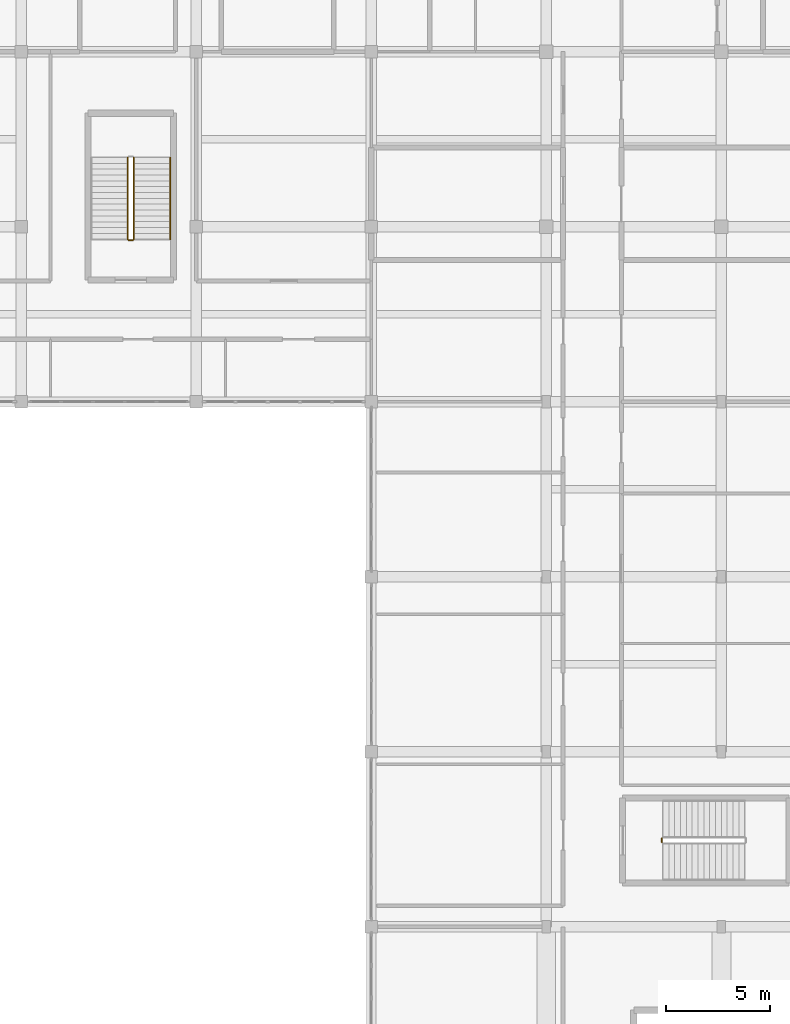
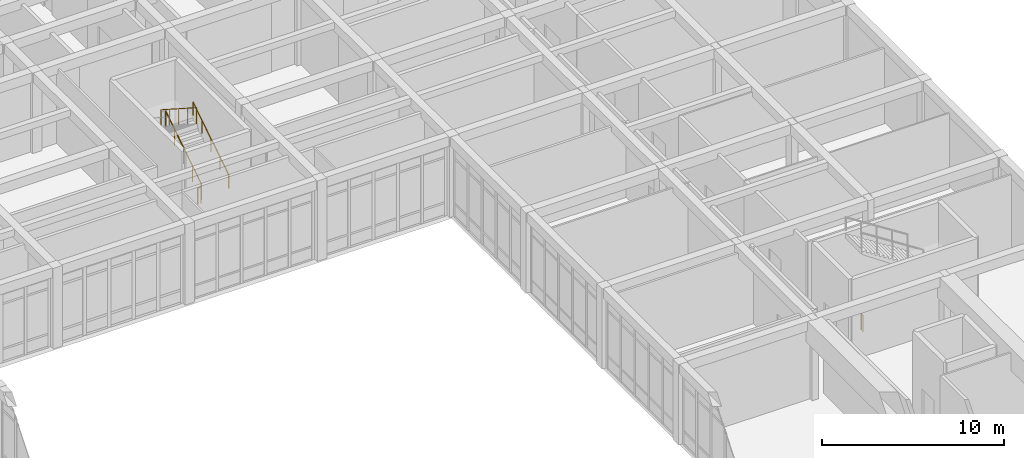
# One storey, part 86 of 89: 5 railings.
"""IFC4 building model written with IfcOpenShell, lengths in metres."""

from ifc_helpers import new_model, si_unit, direction, frame, origin, origin_2d, place, context, subcontext, project, spatial, circle, extrude, material, type_object, element, save


model = new_model("IFC4")

# Units and contexts
model_context = context("Model", 3, precision=1e-05, world=origin(), true_north=direction((0.0, 1.0)))
body_context = subcontext(model_context, "Body", "Model", "MODEL_VIEW")
ifc_project = project(units=[si_unit("LENGTHUNIT", "METRE"), si_unit("AREAUNIT", "SQUARE_METRE"), si_unit("VOLUMEUNIT", "CUBIC_METRE"), si_unit("PLANEANGLEUNIT", "RADIAN"), si_unit("MASSUNIT", "GRAM", prefix="KILO")], contexts=[model_context])

# Site, building, storey
site_placement = place(None, origin())
site = spatial("IfcSite", under=ifc_project, at=site_placement, CompositionType="ELEMENT")
building_placement = place(site_placement, origin())
building = spatial("IfcBuilding", under=site, at=building_placement, Name="Varncliffe General Hospital", CompositionType="ELEMENT")
storey_placement = place(building_placement, frame((0.0, 0.0, 10.800048828125)))
storey = spatial("IfcBuildingStorey", under=building, at=storey_placement, Name="L02", CompositionType="ELEMENT", Elevation=10.800048828125)

# Railings
ifc_material = material(Name="Powder-coated hospital steel guardrail and handrail", Category="steel")
railing_type_1 = type_object("IfcRailingType", Name="Stair and Ramp Handrail HR46", PredefinedType="HANDRAIL", material=ifc_material)
railing_1_placement = place(storey_placement, frame((141.550048828125, 90.60009765625, 0.364013671875)))
element("IfcRailing", 1, at=railing_1_placement, inside=storey, type_object=railing_type_1, Name="L02 ST14 stair handrail 1", PredefinedType="HANDRAIL", context=body_context, shape_type="SweptSolid", body=[
    extrude(circle(Radius=0.02392578125, at=origin_2d()), frame((0.0, 0.0, 0.8759765625), z_axis=(0.0, 0.841171666519, 0.540768182723), x_axis=(-1.0, 0.0, 0.0)), (0.0, 0.0, 1.0), 4.66015625),
    extrude(circle(Radius=0.02099609375, at=origin_2d()), origin(), (0.0, 0.0, 1.0), 0.851806640625),
    extrude(circle(Radius=0.02099609375, at=origin_2d()), frame((0.0, 0.97998046875, 0.6298828125)), (0.0, 0.0, 1.0), 0.851806640625),
    extrude(circle(Radius=0.02099609375, at=origin_2d()), frame((0.0, 1.9599609375, 1.260009765625)), (0.0, 0.0, 1.0), 0.851806640625),
    extrude(circle(Radius=0.02099609375, at=origin_2d()), frame((0.0, 2.93994140625, 1.89013671875)), (0.0, 0.0, 1.0), 0.851806640625),
    extrude(circle(Radius=0.02099609375, at=origin_2d()), frame((0.0, 3.919921875, 2.52001953125)), (0.0, 0.0, 1.0), 0.851806640625),
])
railing_type_2 = type_object("IfcRailingType", Name="Stairwell Guardrail SG49", PredefinedType="GUARDRAIL", material=ifc_material)
railing_2_placement = place(storey_placement, frame((165.14990234375, 61.64990234375, 0.0)))
element("IfcRailing", 2, at=railing_2_placement, inside=storey, type_object=railing_type_2, Name="L02 ST07 stair guard 4", PredefinedType="GUARDRAIL", context=body_context, shape_type="SweptSolid", body=[
    extrude(circle(Radius=0.02392578125, at=origin_2d()), frame((0.0, 0.0, 1.076171875), z_axis=(0.0, 1.0, 0.0), x_axis=(-1.0, 0.0, 0.0)), (0.0, 0.0, 1.0), 0.2001953125),
    extrude(circle(Radius=0.02099609375, at=origin_2d()), origin(), (0.0, 0.0, 1.0), 1.052001953125),
    extrude(circle(Radius=0.02099609375, at=origin_2d()), frame((0.0, 0.2001953125, 0.0)), (0.0, 0.0, 1.0), 1.052001953125),
])
railing_3_placement = place(storey_placement, frame((139.800048828125, 90.60009765625, 0.179931640625)))
element("IfcRailing", 3, at=railing_3_placement, inside=storey, type_object=railing_type_2, Name="L02 ST14 stair guard 1", PredefinedType="GUARDRAIL", context=body_context, shape_type="SweptSolid", body=[
    extrude(circle(Radius=0.02392578125, at=origin_2d()), frame((0.0, 0.0, 1.076171875), z_axis=(0.0, 0.841171666519, 0.540768182723), x_axis=(-1.0, 0.0, 0.0)), (0.0, 0.0, 1.0), 4.66015625),
    extrude(circle(Radius=0.02099609375, at=origin_2d()), origin(), (0.0, 0.0, 1.0), 1.052001953125),
    extrude(circle(Radius=0.02099609375, at=origin_2d()), frame((0.0, 0.97998046875, 0.6298828125)), (0.0, 0.0, 1.0), 1.052001953125),
    extrude(circle(Radius=0.02099609375, at=origin_2d()), frame((0.0, 1.9599609375, 1.260009765625)), (0.0, 0.0, 1.0), 1.052001953125),
    extrude(circle(Radius=0.02099609375, at=origin_2d()), frame((0.0, 2.93994140625, 1.89013671875)), (0.0, 0.0, 1.0), 1.052001953125),
    extrude(circle(Radius=0.02099609375, at=origin_2d()), frame((0.0, 3.919921875, 2.52001953125)), (0.0, 0.0, 1.0), 1.052001953125),
])
railing_4_placement = place(storey_placement, frame((139.5, 94.52001953125, 2.8798828125)))
element("IfcRailing", 4, at=railing_4_placement, inside=storey, type_object=railing_type_2, Name="L02 ST14 stair guard 3", PredefinedType="GUARDRAIL", context=body_context, shape_type="SweptSolid", body=[
    extrude(circle(Radius=0.02392578125, at=origin_2d()), frame((0.0, 0.0, 1.076171875), z_axis=(0.0, -0.841171666519, 0.540768182723), x_axis=(1.0, 0.0, 0.0)), (0.0, 0.0, 1.0), 4.66015625),
    extrude(circle(Radius=0.02099609375, at=origin_2d()), origin(), (0.0, 0.0, 1.0), 1.052001953125),
    extrude(circle(Radius=0.02099609375, at=origin_2d()), frame((0.0, -0.97998046875, 0.6298828125)), (0.0, 0.0, 1.0), 1.052001953125),
    extrude(circle(Radius=0.02099609375, at=origin_2d()), frame((0.0, -1.9599609375, 1.260009765625)), (0.0, 0.0, 1.0), 1.052001953125),
    extrude(circle(Radius=0.02099609375, at=origin_2d()), frame((0.0, -2.93994140625, 1.89013671875)), (0.0, 0.0, 1.0), 1.052001953125),
    extrude(circle(Radius=0.02099609375, at=origin_2d()), frame((0.0, -3.919921875, 2.52001953125)), (0.0, 0.0, 1.0), 1.052001953125),
])
railing_5_placement = place(storey_placement, frame((139.75, 90.550048828125, 0.0)))
element("IfcRailing", 5, at=railing_5_placement, inside=storey, type_object=railing_type_2, Name="L02 ST14 stair guard 4", PredefinedType="GUARDRAIL", context=body_context, shape_type="SweptSolid", body=[
    extrude(circle(Radius=0.02392578125, at=origin_2d()), frame((0.0, 0.0, 1.076171875), z_axis=(-1.0, 0.0, 0.0), x_axis=(0.0, -1.0, 0.0)), (0.0, 0.0, 1.0), 0.199951171875),
    extrude(circle(Radius=0.02099609375, at=origin_2d()), origin(), (0.0, 0.0, 1.0), 1.052001953125),
    extrude(circle(Radius=0.02099609375, at=origin_2d()), frame((-0.199951171875, 0.0, 0.0)), (0.0, 0.0, 1.0), 1.052001953125),
])

save(model, "model.ifc")
